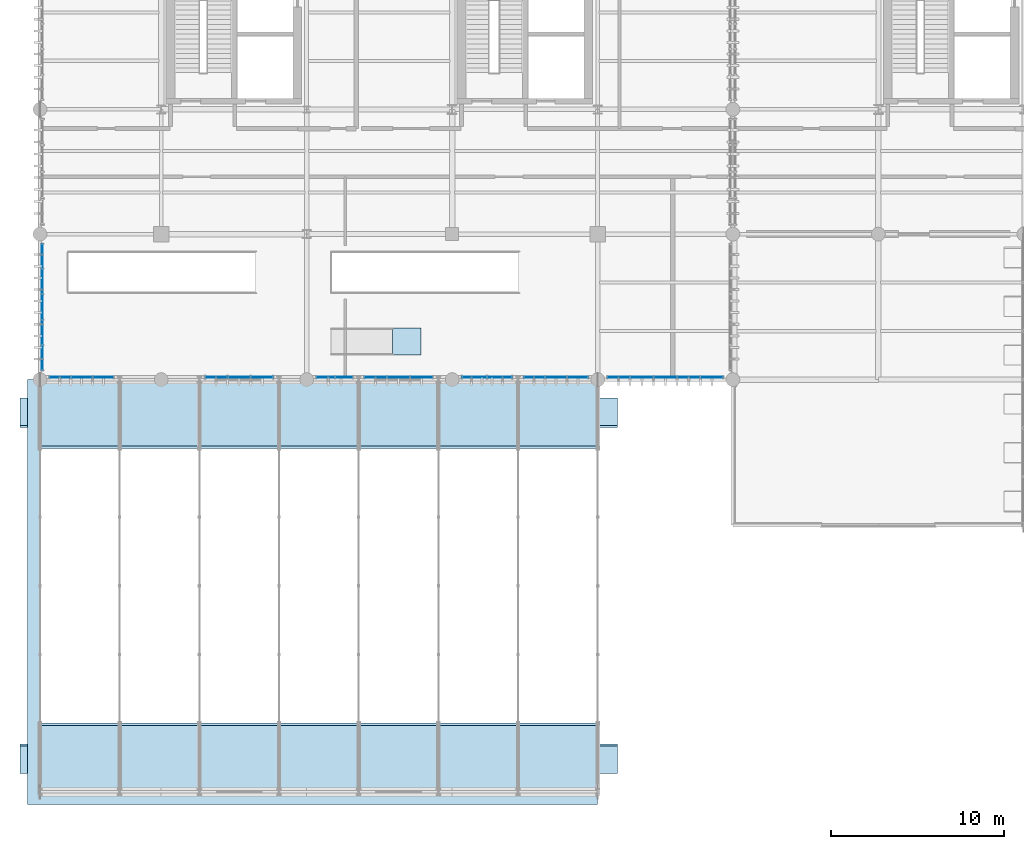
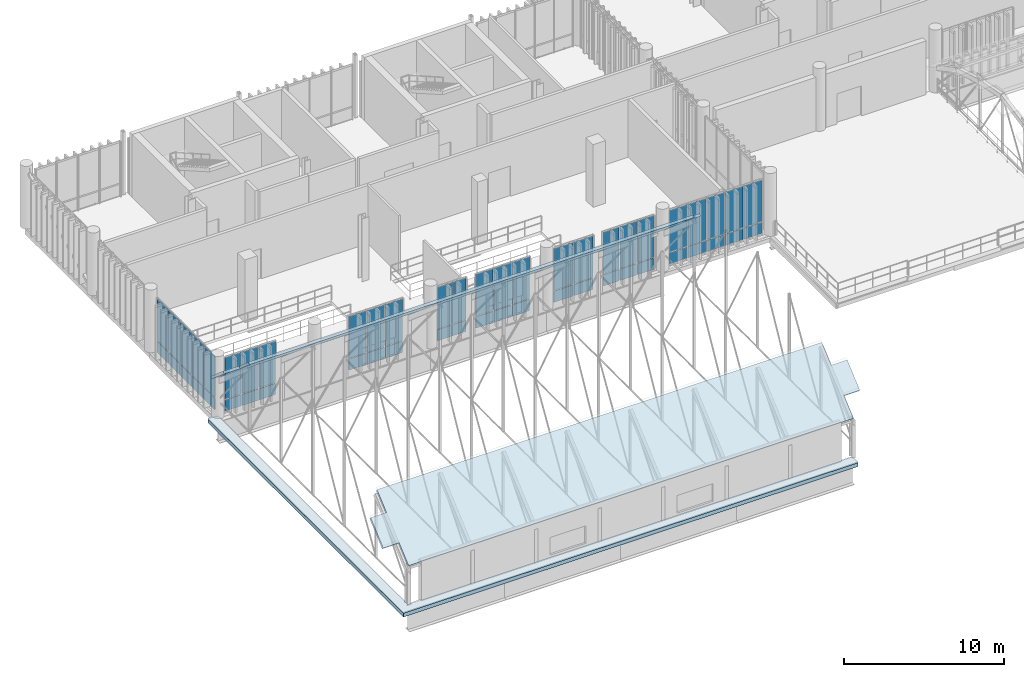
# One storey, part 79 of 109: 52 plates, 4 slabs, 8 elements without a shape of their own.
"""IFC4 building model written with IfcOpenShell, lengths in metres."""

from ifc_helpers import new_model, si_unit, direction, frame, frame_2d, origin_with_axes, place, context, subcontext, project, spatial, polyline, rectangle, outline, extrude, material, layer, layer_set, type_object, element, aggregate, save


model = new_model("IFC4")

# Units and contexts
model_context = context("Model", 3, precision=1e-05, world=origin_with_axes(), true_north=direction((0.0, 1.0)))
body_context = subcontext(model_context, "Body", "Model", "MODEL_VIEW")
ifc_project = project(units=[si_unit("LENGTHUNIT", "METRE"), si_unit("AREAUNIT", "SQUARE_METRE"), si_unit("VOLUMEUNIT", "CUBIC_METRE"), si_unit("PLANEANGLEUNIT", "RADIAN"), si_unit("MASSUNIT", "GRAM", prefix="KILO"), si_unit("THERMODYNAMICTEMPERATUREUNIT", "KELVIN")], contexts=[model_context])

# Site, building, storey
site_placement = place(None, origin_with_axes())
site = spatial("IfcSite", under=ifc_project, at=site_placement, CompositionType="ELEMENT")
building_placement = place(site_placement, origin_with_axes())
building = spatial("IfcBuilding", under=site, at=building_placement, Name="Montbau Bow Law Courts", CompositionType="ELEMENT")
storey_placement = place(building_placement, frame((0.0, 0.0, 10.8), z_axis=(0.0, 0.0, 1.0), x_axis=(1.0, 0.0, 0.0)))
storey = spatial("IfcBuildingStorey", under=building, at=storey_placement, Name="L02", CompositionType="ELEMENT", Elevation=10.8)

# Curtain wall, plates
ifc_material_1 = material(Name="Thermally Broken Extruded Aluminium AA 6063-T6", Category="aluminium")
curtain_wall_type = type_object("IfcCurtainWallType", Name="CW-TRC-01", PredefinedType="NOTDEFINED", material=ifc_material_1)
curtain_wall_1_placement = place(None, frame((7.315, 30.74, 10.8), z_axis=(0.0, 0.0, 1.0), x_axis=(1.0, 0.0, 0.0)))
curtain_wall_1 = element("IfcCurtainWall", 1, at=curtain_wall_1_placement, inside=storey, type_object=curtain_wall_type, Name="CW-L02-032:cw_0032", PredefinedType="NOTDEFINED")
ifc_material_2 = material(Name="Triple-Glazed Low-E Argon Insulating Glass Unit", Category="glass")
ifc_layer_1 = layer(ifc_material_2, 0.044, Name="Curtain Panel", Category="glass")
ifc_layer_set_1 = layer_set([ifc_layer_1], Name="Triple-Glazed Low-E Argon Insulating Glass Unit")
plate_type_1 = type_object("IfcPlateType", Name="PL-CWP-01", PredefinedType="CURTAIN_PANEL", material=ifc_layer_set_1)
plate_1_placement = place(None, frame((7.377, 30.74, 11.782), z_axis=(0.0, -1.0, 0.0), x_axis=(1.0, 0.0, 0.0)))
plate_1 = element("IfcPlate", 2, at=plate_1_placement, type_object=plate_type_1, Name="CW-L02-032-P01-2:cw_0032_P01_2", PredefinedType="CURTAIN_PANEL", context=body_context, shape_type="SweptSolid", body=[
    extrude(rectangle(XDim=1.169, YDim=3.176, at=frame_2d((0.5845, 1.588), x_axis=(1.0, 0.0))), frame((0.0, 0.0, -0.022), z_axis=(0.0, 0.0, 1.0), x_axis=(1.0, 0.0, 0.0)), (0.0, 0.0, 1.0), 0.044),
])
plate_2_placement = place(None, frame((8.61, 30.74, 11.782), z_axis=(0.0, -1.0, 0.0), x_axis=(1.0, 0.0, 0.0)))
plate_2 = element("IfcPlate", 3, at=plate_2_placement, type_object=plate_type_1, Name="CW-L02-032-P02-2:cw_0032_P02_2", PredefinedType="CURTAIN_PANEL", context=body_context, shape_type="SweptSolid", body=[
    extrude(rectangle(XDim=1.199, YDim=3.176, at=frame_2d((0.5995, 1.588), x_axis=(1.0, 0.0))), frame((0.0, 0.0, -0.022), z_axis=(0.0, 0.0, 1.0), x_axis=(1.0, 0.0, 0.0)), (0.0, 0.0, 1.0), 0.044),
])
plate_3_placement = place(None, frame((9.873, 30.74, 11.782), z_axis=(0.0, -1.0, 0.0), x_axis=(1.0, 0.0, 0.0)))
plate_3 = element("IfcPlate", 4, at=plate_3_placement, type_object=plate_type_1, Name="CW-L02-032-P03-2:cw_0032_P03_2", PredefinedType="CURTAIN_PANEL", context=body_context, shape_type="SweptSolid", body=[
    extrude(rectangle(XDim=1.169, YDim=3.176, at=frame_2d((0.5845, 1.588), x_axis=(1.0, 0.0))), frame((0.0, 0.0, -0.022), z_axis=(0.0, 0.0, 1.0), x_axis=(1.0, 0.0, 0.0)), (0.0, 0.0, 1.0), 0.044),
])

curtain_wall_2_placement = place(None, frame((16.296, 30.74, 10.8), z_axis=(0.0, 0.0, 1.0), x_axis=(1.0, 0.0, 0.0)))
curtain_wall_2 = element("IfcCurtainWall", 5, at=curtain_wall_2_placement, inside=storey, type_object=curtain_wall_type, Name="CW-L02-033:cw_0033", PredefinedType="NOTDEFINED")
plate_4_placement = place(None, frame((16.372, 30.74, 11.78), z_axis=(0.0, -1.0, 0.0), x_axis=(1.0, 0.0, 0.0)))
plate_4 = element("IfcPlate", 6, at=plate_4_placement, type_object=plate_type_1, Name="CW-L02-033-P01-2:cw_0033_P01_2", PredefinedType="CURTAIN_PANEL", context=body_context, shape_type="SweptSolid", body=[
    extrude(rectangle(XDim=1.22, YDim=3.183, at=frame_2d((0.61, 1.5915), x_axis=(1.0, 0.0))), frame((0.0, 0.0, -0.022), z_axis=(0.0, 0.0, 1.0), x_axis=(1.0, 0.0, 0.0)), (0.0, 0.0, 1.0), 0.044),
])
plate_5_placement = place(None, frame((17.672, 30.74, 11.78), z_axis=(0.0, -1.0, 0.0), x_axis=(1.0, 0.0, 0.0)))
plate_5 = element("IfcPlate", 7, at=plate_5_placement, type_object=plate_type_1, Name="CW-L02-033-P02-2:cw_0033_P02_2", PredefinedType="CURTAIN_PANEL", context=body_context, shape_type="SweptSolid", body=[
    extrude(rectangle(XDim=1.257, YDim=3.183, at=frame_2d((0.6285, 1.5915), x_axis=(1.0, 0.0))), frame((0.0, 0.0, -0.022), z_axis=(0.0, 0.0, 1.0), x_axis=(1.0, 0.0, 0.0)), (0.0, 0.0, 1.0), 0.044),
])
plate_6_placement = place(None, frame((19.008, 30.74, 11.78), z_axis=(0.0, -1.0, 0.0), x_axis=(1.0, 0.0, 0.0)))
plate_6 = element("IfcPlate", 8, at=plate_6_placement, type_object=plate_type_1, Name="CW-L02-033-P03-2:cw_0033_P03_2", PredefinedType="CURTAIN_PANEL", context=body_context, shape_type="SweptSolid", body=[
    extrude(rectangle(XDim=1.219, YDim=3.183, at=frame_2d((0.6095, 1.5915), x_axis=(1.0, 0.0))), frame((0.0, 0.0, -0.022), z_axis=(0.0, 0.0, 1.0), x_axis=(1.0, 0.0, 0.0)), (0.0, 0.0, 1.0), 0.044),
])

curtain_wall_3_placement = place(None, frame((22.715, 30.74, 10.8), z_axis=(0.0, 0.0, 1.0), x_axis=(1.0, 0.0, 0.0)))
curtain_wall_3 = element("IfcCurtainWall", 9, at=curtain_wall_3_placement, inside=storey, type_object=curtain_wall_type, Name="CW-L02-034:cw_0034", PredefinedType="NOTDEFINED")
plate_7_placement = place(None, frame((22.783, 30.74, 11.782), z_axis=(0.0, -1.0, 0.0), x_axis=(1.0, 0.0, 0.0)))
plate_7 = element("IfcPlate", 10, at=plate_7_placement, type_object=plate_type_1, Name="CW-L02-034-P01-2:cw_0034_P01_2", PredefinedType="CURTAIN_PANEL", context=body_context, shape_type="SweptSolid", body=[
    extrude(rectangle(XDim=0.992, YDim=3.176, at=frame_2d((0.496, 1.588), x_axis=(1.0, 0.0))), frame((0.0, 0.0, -0.022), z_axis=(0.0, 0.0, 1.0), x_axis=(1.0, 0.0, 0.0)), (0.0, 0.0, 1.0), 0.044),
])
plate_8_placement = place(None, frame((23.844, 30.74, 11.782), z_axis=(0.0, -1.0, 0.0), x_axis=(1.0, 0.0, 0.0)))
plate_8 = element("IfcPlate", 11, at=plate_8_placement, type_object=plate_type_1, Name="CW-L02-034-P02-2:cw_0034_P02_2", PredefinedType="CURTAIN_PANEL", context=body_context, shape_type="SweptSolid", body=[
    extrude(rectangle(XDim=0.993, YDim=3.176, at=frame_2d((0.4965, 1.588), x_axis=(1.0, 0.0))), frame((0.0, 0.0, -0.022), z_axis=(0.0, 0.0, 1.0), x_axis=(1.0, 0.0, 0.0)), (0.0, 0.0, 1.0), 0.044),
])

curtain_wall_4_placement = place(None, frame((25.496, 30.74, 10.8), z_axis=(0.0, 0.0, 1.0), x_axis=(1.0, 0.0, 0.0)))
curtain_wall_4 = element("IfcCurtainWall", 12, at=curtain_wall_4_placement, inside=storey, type_object=curtain_wall_type, Name="CW-L02-035:cw_0035", PredefinedType="NOTDEFINED")
plate_9_placement = place(None, frame((25.558, 30.74, 11.78), z_axis=(0.0, -1.0, 0.0), x_axis=(1.0, 0.0, 0.0)))
plate_9 = element("IfcPlate", 13, at=plate_9_placement, type_object=plate_type_1, Name="CW-L02-035-P01-2:cw_0035_P01_2", PredefinedType="CURTAIN_PANEL", context=body_context, shape_type="SweptSolid", body=[
    extrude(rectangle(XDim=1.242, YDim=3.183, at=frame_2d((0.621, 1.5915), x_axis=(1.0, 0.0))), frame((0.0, 0.0, -0.022), z_axis=(0.0, 0.0, 1.0), x_axis=(1.0, 0.0, 0.0)), (0.0, 0.0, 1.0), 0.044),
])
plate_10_placement = place(None, frame((26.864, 30.74, 11.78), z_axis=(0.0, -1.0, 0.0), x_axis=(1.0, 0.0, 0.0)))
plate_10 = element("IfcPlate", 14, at=plate_10_placement, type_object=plate_type_1, Name="CW-L02-035-P02-2:cw_0035_P02_2", PredefinedType="CURTAIN_PANEL", context=body_context, shape_type="SweptSolid", body=[
    extrude(rectangle(XDim=1.272, YDim=3.183, at=frame_2d((0.636, 1.5915), x_axis=(1.0, 0.0))), frame((0.0, 0.0, -0.022), z_axis=(0.0, 0.0, 1.0), x_axis=(1.0, 0.0, 0.0)), (0.0, 0.0, 1.0), 0.044),
])
plate_11_placement = place(None, frame((28.2, 30.74, 11.78), z_axis=(0.0, -1.0, 0.0), x_axis=(1.0, 0.0, 0.0)))
plate_11 = element("IfcPlate", 15, at=plate_11_placement, type_object=plate_type_1, Name="CW-L02-035-P03-2:cw_0035_P03_2", PredefinedType="CURTAIN_PANEL", context=body_context, shape_type="SweptSolid", body=[
    extrude(rectangle(XDim=1.242, YDim=3.183, at=frame_2d((0.621, 1.5915), x_axis=(1.0, 0.0))), frame((0.0, 0.0, -0.022), z_axis=(0.0, 0.0, 1.0), x_axis=(1.0, 0.0, 0.0)), (0.0, 0.0, 1.0), 0.044),
])

curtain_wall_5_placement = place(None, frame((31.115, 30.74, 10.8), z_axis=(0.0, 0.0, 1.0), x_axis=(1.0, 0.0, 0.0)))
curtain_wall_5 = element("IfcCurtainWall", 16, at=curtain_wall_5_placement, inside=storey, type_object=curtain_wall_type, Name="CW-L02-036:cw_0036", PredefinedType="NOTDEFINED")
plate_12_placement = place(None, frame((31.191, 30.74, 11.782), z_axis=(0.0, -1.0, 0.0), x_axis=(1.0, 0.0, 0.0)))
plate_12 = element("IfcPlate", 17, at=plate_12_placement, type_object=plate_type_1, Name="CW-L02-036-P01-2:cw_0036_P01_2", PredefinedType="CURTAIN_PANEL", context=body_context, shape_type="SweptSolid", body=[
    extrude(rectangle(XDim=1.378, YDim=3.176, at=frame_2d((0.689, 1.588), x_axis=(1.0, 0.0))), frame((0.0, 0.0, -0.022), z_axis=(0.0, 0.0, 1.0), x_axis=(1.0, 0.0, 0.0)), (0.0, 0.0, 1.0), 0.044),
])
plate_13_placement = place(None, frame((32.649, 30.74, 11.782), z_axis=(0.0, -1.0, 0.0), x_axis=(1.0, 0.0, 0.0)))
plate_13 = element("IfcPlate", 18, at=plate_13_placement, type_object=plate_type_1, Name="CW-L02-036-P02-2:cw_0036_P02_2", PredefinedType="CURTAIN_PANEL", context=body_context, shape_type="SweptSolid", body=[
    extrude(rectangle(XDim=1.378, YDim=3.176, at=frame_2d((0.689, 1.588), x_axis=(1.0, 0.0))), frame((0.0, 0.0, -0.022), z_axis=(0.0, 0.0, 1.0), x_axis=(1.0, 0.0, 0.0)), (0.0, 0.0, 1.0), 0.044),
])

curtain_wall_6_placement = place(None, frame((34.697, 30.74, 10.8), z_axis=(0.0, 0.0, 1.0), x_axis=(1.0, 0.0, 0.0)))
curtain_wall_6 = element("IfcCurtainWall", 19, at=curtain_wall_6_placement, inside=storey, type_object=curtain_wall_type, Name="CW-L02-037:cw_0037", PredefinedType="NOTDEFINED")
plate_14_placement = place(None, frame((34.765, 30.74, 11.78), z_axis=(0.0, -1.0, 0.0), x_axis=(1.0, 0.0, 0.0)))
plate_14 = element("IfcPlate", 20, at=plate_14_placement, type_object=plate_type_1, Name="CW-L02-037-P01-2:cw_0037_P01_2", PredefinedType="CURTAIN_PANEL", context=body_context, shape_type="SweptSolid", body=[
    extrude(rectangle(XDim=1.16, YDim=3.183, at=frame_2d((0.58, 1.5915), x_axis=(1.0, 0.0))), frame((0.0, 0.0, -0.022), z_axis=(0.0, 0.0, 1.0), x_axis=(1.0, 0.0, 0.0)), (0.0, 0.0, 1.0), 0.044),
])
plate_15_placement = place(None, frame((35.994, 30.74, 11.78), z_axis=(0.0, -1.0, 0.0), x_axis=(1.0, 0.0, 0.0)))
plate_15 = element("IfcPlate", 21, at=plate_15_placement, type_object=plate_type_1, Name="CW-L02-037-P02-2:cw_0037_P02_2", PredefinedType="CURTAIN_PANEL", context=body_context, shape_type="SweptSolid", body=[
    extrude(rectangle(XDim=1.193, YDim=3.183, at=frame_2d((0.5965, 1.5915), x_axis=(1.0, 0.0))), frame((0.0, 0.0, -0.022), z_axis=(0.0, 0.0, 1.0), x_axis=(1.0, 0.0, 0.0)), (0.0, 0.0, 1.0), 0.044),
])
plate_16_placement = place(None, frame((37.256, 30.74, 11.78), z_axis=(0.0, -1.0, 0.0), x_axis=(1.0, 0.0, 0.0)))
plate_16 = element("IfcPlate", 22, at=plate_16_placement, type_object=plate_type_1, Name="CW-L02-037-P03-2:cw_0037_P03_2", PredefinedType="CURTAIN_PANEL", context=body_context, shape_type="SweptSolid", body=[
    extrude(rectangle(XDim=1.161, YDim=3.183, at=frame_2d((0.5805, 1.5915), x_axis=(1.0, 0.0))), frame((0.0, 0.0, -0.022), z_axis=(0.0, 0.0, 1.0), x_axis=(1.0, 0.0, 0.0)), (0.0, 0.0, 1.0), 0.044),
])

curtain_wall_7_placement = place(None, frame((39.515, 30.74, 10.8), z_axis=(0.0, 0.0, 1.0), x_axis=(1.0, 0.0, 0.0)))
curtain_wall_7 = element("IfcCurtainWall", 23, at=curtain_wall_7_placement, inside=storey, type_object=curtain_wall_type, Name="CW-L02-038:cw_0038", PredefinedType="NOTDEFINED")
plate_17_placement = place(None, frame((39.577, 30.74, 11.782), z_axis=(0.0, -1.0, 0.0), x_axis=(1.0, 0.0, 0.0)))
plate_17 = element("IfcPlate", 24, at=plate_17_placement, type_object=plate_type_1, Name="CW-L02-038-P01-2:cw_0038_P01_2", PredefinedType="CURTAIN_PANEL", context=body_context, shape_type="SweptSolid", body=[
    extrude(rectangle(XDim=1.26, YDim=3.176, at=frame_2d((0.63, 1.588), x_axis=(1.0, 0.0))), frame((0.0, 0.0, -0.022), z_axis=(0.0, 0.0, 1.0), x_axis=(1.0, 0.0, 0.0)), (0.0, 0.0, 1.0), 0.044),
])
plate_18_placement = place(None, frame((40.901, 30.74, 11.782), z_axis=(0.0, -1.0, 0.0), x_axis=(1.0, 0.0, 0.0)))
plate_18 = element("IfcPlate", 25, at=plate_18_placement, type_object=plate_type_1, Name="CW-L02-038-P02-2:cw_0038_P02_2", PredefinedType="CURTAIN_PANEL", context=body_context, shape_type="SweptSolid", body=[
    extrude(rectangle(XDim=1.29, YDim=3.176, at=frame_2d((0.645, 1.588), x_axis=(1.0, 0.0))), frame((0.0, 0.0, -0.022), z_axis=(0.0, 0.0, 1.0), x_axis=(1.0, 0.0, 0.0)), (0.0, 0.0, 1.0), 0.044),
])
plate_19_placement = place(None, frame((42.255, 30.74, 11.782), z_axis=(0.0, -1.0, 0.0), x_axis=(1.0, 0.0, 0.0)))
plate_19 = element("IfcPlate", 26, at=plate_19_placement, type_object=plate_type_1, Name="CW-L02-038-P03-2:cw_0038_P03_2", PredefinedType="CURTAIN_PANEL", context=body_context, shape_type="SweptSolid", body=[
    extrude(rectangle(XDim=1.29, YDim=3.176, at=frame_2d((0.645, 1.588), x_axis=(1.0, 0.0))), frame((0.0, 0.0, -0.022), z_axis=(0.0, 0.0, 1.0), x_axis=(1.0, 0.0, 0.0)), (0.0, 0.0, 1.0), 0.044),
])
plate_20_placement = place(None, frame((43.609, 30.74, 11.782), z_axis=(0.0, -1.0, 0.0), x_axis=(1.0, 0.0, 0.0)))
plate_20 = element("IfcPlate", 27, at=plate_20_placement, type_object=plate_type_1, Name="CW-L02-038-P04-2:cw_0038_P04_2", PredefinedType="CURTAIN_PANEL", context=body_context, shape_type="SweptSolid", body=[
    extrude(rectangle(XDim=1.29, YDim=3.176, at=frame_2d((0.645, 1.588), x_axis=(1.0, 0.0))), frame((0.0, 0.0, -0.022), z_axis=(0.0, 0.0, 1.0), x_axis=(1.0, 0.0, 0.0)), (0.0, 0.0, 1.0), 0.044),
])
plate_21_placement = place(None, frame((44.963, 30.74, 11.782), z_axis=(0.0, -1.0, 0.0), x_axis=(1.0, 0.0, 0.0)))
plate_21 = element("IfcPlate", 28, at=plate_21_placement, type_object=plate_type_1, Name="CW-L02-038-P05-2:cw_0038_P05_2", PredefinedType="CURTAIN_PANEL", context=body_context, shape_type="SweptSolid", body=[
    extrude(rectangle(XDim=1.26, YDim=3.176, at=frame_2d((0.63, 1.588), x_axis=(1.0, 0.0))), frame((0.0, 0.0, -0.022), z_axis=(0.0, 0.0, 1.0), x_axis=(1.0, 0.0, 0.0)), (0.0, 0.0, 1.0), 0.044),
])

curtain_wall_8_placement = place(None, frame((6.94, 31.115, 10.8), z_axis=(0.0, 0.0, 1.0), x_axis=(1.0, 0.0, 0.0)))
curtain_wall_8 = element("IfcCurtainWall", 29, at=curtain_wall_8_placement, inside=storey, type_object=curtain_wall_type, Name="CW-L02-044:cw_0044", PredefinedType="NOTDEFINED")
plate_22_placement = place(None, frame((6.94, 31.177, 11.782), z_axis=(1.0, 0.0, 0.0), x_axis=(0.0, 1.0, 0.0)))
plate_22 = element("IfcPlate", 30, at=plate_22_placement, type_object=plate_type_1, Name="CW-L02-044-P01-2:cw_0044_P01_2", PredefinedType="CURTAIN_PANEL", context=body_context, shape_type="SweptSolid", body=[
    extrude(rectangle(XDim=1.38, YDim=3.176, at=frame_2d((0.69, 1.588), x_axis=(1.0, 0.0))), frame((0.0, 0.0, -0.022), z_axis=(0.0, 0.0, 1.0), x_axis=(1.0, 0.0, 0.0)), (0.0, 0.0, 1.0), 0.044),
])
plate_23_placement = place(None, frame((6.94, 32.621, 11.782), z_axis=(1.0, 0.0, 0.0), x_axis=(0.0, 1.0, 0.0)))
plate_23 = element("IfcPlate", 31, at=plate_23_placement, type_object=plate_type_1, Name="CW-L02-044-P02-2:cw_0044_P02_2", PredefinedType="CURTAIN_PANEL", context=body_context, shape_type="SweptSolid", body=[
    extrude(rectangle(XDim=1.41, YDim=3.176, at=frame_2d((0.705, 1.588), x_axis=(1.0, 0.0))), frame((0.0, 0.0, -0.022), z_axis=(0.0, 0.0, 1.0), x_axis=(1.0, 0.0, 0.0)), (0.0, 0.0, 1.0), 0.044),
])
plate_24_placement = place(None, frame((6.94, 34.095, 11.782), z_axis=(1.0, 0.0, 0.0), x_axis=(0.0, 1.0, 0.0)))
plate_24 = element("IfcPlate", 32, at=plate_24_placement, type_object=plate_type_1, Name="CW-L02-044-P03-2:cw_0044_P03_2", PredefinedType="CURTAIN_PANEL", context=body_context, shape_type="SweptSolid", body=[
    extrude(rectangle(XDim=1.41, YDim=3.176, at=frame_2d((0.705, 1.588), x_axis=(1.0, 0.0))), frame((0.0, 0.0, -0.022), z_axis=(0.0, 0.0, 1.0), x_axis=(1.0, 0.0, 0.0)), (0.0, 0.0, 1.0), 0.044),
])
plate_25_placement = place(None, frame((6.94, 35.569, 11.782), z_axis=(1.0, 0.0, 0.0), x_axis=(0.0, 1.0, 0.0)))
plate_25 = element("IfcPlate", 33, at=plate_25_placement, type_object=plate_type_1, Name="CW-L02-044-P04-2:cw_0044_P04_2", PredefinedType="CURTAIN_PANEL", context=body_context, shape_type="SweptSolid", body=[
    extrude(rectangle(XDim=1.41, YDim=3.176, at=frame_2d((0.705, 1.588), x_axis=(1.0, 0.0))), frame((0.0, 0.0, -0.022), z_axis=(0.0, 0.0, 1.0), x_axis=(1.0, 0.0, 0.0)), (0.0, 0.0, 1.0), 0.044),
])
plate_26_placement = place(None, frame((6.94, 37.043, 11.782), z_axis=(1.0, 0.0, 0.0), x_axis=(0.0, 1.0, 0.0)))
plate_26 = element("IfcPlate", 34, at=plate_26_placement, type_object=plate_type_1, Name="CW-L02-044-P05-2:cw_0044_P05_2", PredefinedType="CURTAIN_PANEL", context=body_context, shape_type="SweptSolid", body=[
    extrude(rectangle(XDim=1.38, YDim=3.176, at=frame_2d((0.69, 1.588), x_axis=(1.0, 0.0))), frame((0.0, 0.0, -0.022), z_axis=(0.0, 0.0, 1.0), x_axis=(1.0, 0.0, 0.0)), (0.0, 0.0, 1.0), 0.044),
])

# Plate
ifc_material_3 = material(Name="Insulated Ceramic-Frit Spandrel Glazing Unit", Category="glass")
ifc_layer_2 = layer(ifc_material_3, 0.056, Name="Curtain Panel", Category="glass")
ifc_layer_set_2 = layer_set([ifc_layer_2], Name="Insulated Ceramic-Frit Spandrel Glazing Unit")
plate_type_2 = type_object("IfcPlateType", Name="PL-CWP-02", PredefinedType="CURTAIN_PANEL", material=ifc_layer_set_2)
plate_27_placement = place(None, frame((7.377, 30.74, 10.862), z_axis=(0.0, -1.0, 0.0), x_axis=(1.0, 0.0, 0.0)))
plate_27 = element("IfcPlate", 35, at=plate_27_placement, type_object=plate_type_2, Name="CW-L02-032-P01-1:cw_0032_P01_1", PredefinedType="CURTAIN_PANEL", context=body_context, shape_type="SweptSolid", body=[
    extrude(rectangle(XDim=1.169, YDim=0.856, at=frame_2d((0.5845, 0.428), x_axis=(1.0, 0.0))), frame((0.0, 0.0, -0.028), z_axis=(0.0, 0.0, 1.0), x_axis=(1.0, 0.0, 0.0)), (0.0, 0.0, 1.0), 0.056),
])

plate_28_placement = place(None, frame((8.61, 30.74, 10.862), z_axis=(0.0, -1.0, 0.0), x_axis=(1.0, 0.0, 0.0)))
plate_28 = element("IfcPlate", 36, at=plate_28_placement, type_object=plate_type_2, Name="CW-L02-032-P02-1:cw_0032_P02_1", PredefinedType="CURTAIN_PANEL", context=body_context, shape_type="SweptSolid", body=[
    extrude(rectangle(XDim=1.199, YDim=0.856, at=frame_2d((0.5995, 0.428), x_axis=(1.0, 0.0))), frame((0.0, 0.0, -0.028), z_axis=(0.0, 0.0, 1.0), x_axis=(1.0, 0.0, 0.0)), (0.0, 0.0, 1.0), 0.056),
])

plate_29_placement = place(None, frame((9.873, 30.74, 10.862), z_axis=(0.0, -1.0, 0.0), x_axis=(1.0, 0.0, 0.0)))
plate_29 = element("IfcPlate", 37, at=plate_29_placement, type_object=plate_type_2, Name="CW-L02-032-P03-1:cw_0032_P03_1", PredefinedType="CURTAIN_PANEL", context=body_context, shape_type="SweptSolid", body=[
    extrude(rectangle(XDim=1.169, YDim=0.856, at=frame_2d((0.5845, 0.428), x_axis=(1.0, 0.0))), frame((0.0, 0.0, -0.028), z_axis=(0.0, 0.0, 1.0), x_axis=(1.0, 0.0, 0.0)), (0.0, 0.0, 1.0), 0.056),
])

aggregate(curtain_wall_1, [plate_27, plate_1, plate_28, plate_2, plate_29, plate_3])

plate_30_placement = place(None, frame((16.372, 30.74, 10.857), z_axis=(0.0, -1.0, 0.0), x_axis=(1.0, 0.0, 0.0)))
plate_30 = element("IfcPlate", 38, at=plate_30_placement, type_object=plate_type_2, Name="CW-L02-033-P01-1:cw_0033_P01_1", PredefinedType="CURTAIN_PANEL", context=body_context, shape_type="SweptSolid", body=[
    extrude(rectangle(XDim=1.22, YDim=0.863, at=frame_2d((0.61, 0.4315), x_axis=(1.0, 0.0))), frame((0.0, 0.0, -0.028), z_axis=(0.0, 0.0, 1.0), x_axis=(1.0, 0.0, 0.0)), (0.0, 0.0, 1.0), 0.056),
])

plate_31_placement = place(None, frame((17.672, 30.74, 10.857), z_axis=(0.0, -1.0, 0.0), x_axis=(1.0, 0.0, 0.0)))
plate_31 = element("IfcPlate", 39, at=plate_31_placement, type_object=plate_type_2, Name="CW-L02-033-P02-1:cw_0033_P02_1", PredefinedType="CURTAIN_PANEL", context=body_context, shape_type="SweptSolid", body=[
    extrude(rectangle(XDim=1.257, YDim=0.863, at=frame_2d((0.6285, 0.4315), x_axis=(1.0, 0.0))), frame((0.0, 0.0, -0.028), z_axis=(0.0, 0.0, 1.0), x_axis=(1.0, 0.0, 0.0)), (0.0, 0.0, 1.0), 0.056),
])

plate_32_placement = place(None, frame((19.008, 30.74, 10.857), z_axis=(0.0, -1.0, 0.0), x_axis=(1.0, 0.0, 0.0)))
plate_32 = element("IfcPlate", 40, at=plate_32_placement, type_object=plate_type_2, Name="CW-L02-033-P03-1:cw_0033_P03_1", PredefinedType="CURTAIN_PANEL", context=body_context, shape_type="SweptSolid", body=[
    extrude(rectangle(XDim=1.219, YDim=0.863, at=frame_2d((0.6095, 0.4315), x_axis=(1.0, 0.0))), frame((0.0, 0.0, -0.028), z_axis=(0.0, 0.0, 1.0), x_axis=(1.0, 0.0, 0.0)), (0.0, 0.0, 1.0), 0.056),
])

aggregate(curtain_wall_2, [plate_30, plate_4, plate_31, plate_5, plate_32, plate_6])

plate_33_placement = place(None, frame((22.783, 30.74, 10.862), z_axis=(0.0, -1.0, 0.0), x_axis=(1.0, 0.0, 0.0)))
plate_33 = element("IfcPlate", 41, at=plate_33_placement, type_object=plate_type_2, Name="CW-L02-034-P01-1:cw_0034_P01_1", PredefinedType="CURTAIN_PANEL", context=body_context, shape_type="SweptSolid", body=[
    extrude(rectangle(XDim=0.992, YDim=0.856, at=frame_2d((0.496, 0.428), x_axis=(1.0, 0.0))), frame((0.0, 0.0, -0.028), z_axis=(0.0, 0.0, 1.0), x_axis=(1.0, 0.0, 0.0)), (0.0, 0.0, 1.0), 0.056),
])

plate_34_placement = place(None, frame((23.844, 30.74, 10.862), z_axis=(0.0, -1.0, 0.0), x_axis=(1.0, 0.0, 0.0)))
plate_34 = element("IfcPlate", 42, at=plate_34_placement, type_object=plate_type_2, Name="CW-L02-034-P02-1:cw_0034_P02_1", PredefinedType="CURTAIN_PANEL", context=body_context, shape_type="SweptSolid", body=[
    extrude(rectangle(XDim=0.993, YDim=0.856, at=frame_2d((0.4965, 0.428), x_axis=(1.0, 0.0))), frame((0.0, 0.0, -0.028), z_axis=(0.0, 0.0, 1.0), x_axis=(1.0, 0.0, 0.0)), (0.0, 0.0, 1.0), 0.056),
])

aggregate(curtain_wall_3, [plate_33, plate_7, plate_34, plate_8])

plate_35_placement = place(None, frame((25.558, 30.74, 10.857), z_axis=(0.0, -1.0, 0.0), x_axis=(1.0, 0.0, 0.0)))
plate_35 = element("IfcPlate", 43, at=plate_35_placement, type_object=plate_type_2, Name="CW-L02-035-P01-1:cw_0035_P01_1", PredefinedType="CURTAIN_PANEL", context=body_context, shape_type="SweptSolid", body=[
    extrude(rectangle(XDim=1.242, YDim=0.863, at=frame_2d((0.621, 0.4315), x_axis=(1.0, 0.0))), frame((0.0, 0.0, -0.028), z_axis=(0.0, 0.0, 1.0), x_axis=(1.0, 0.0, 0.0)), (0.0, 0.0, 1.0), 0.056),
])

plate_36_placement = place(None, frame((26.864, 30.74, 10.857), z_axis=(0.0, -1.0, 0.0), x_axis=(1.0, 0.0, 0.0)))
plate_36 = element("IfcPlate", 44, at=plate_36_placement, type_object=plate_type_2, Name="CW-L02-035-P02-1:cw_0035_P02_1", PredefinedType="CURTAIN_PANEL", context=body_context, shape_type="SweptSolid", body=[
    extrude(rectangle(XDim=1.272, YDim=0.863, at=frame_2d((0.636, 0.4315), x_axis=(1.0, 0.0))), frame((0.0, 0.0, -0.028), z_axis=(0.0, 0.0, 1.0), x_axis=(1.0, 0.0, 0.0)), (0.0, 0.0, 1.0), 0.056),
])

plate_37_placement = place(None, frame((28.2, 30.74, 10.857), z_axis=(0.0, -1.0, 0.0), x_axis=(1.0, 0.0, 0.0)))
plate_37 = element("IfcPlate", 45, at=plate_37_placement, type_object=plate_type_2, Name="CW-L02-035-P03-1:cw_0035_P03_1", PredefinedType="CURTAIN_PANEL", context=body_context, shape_type="SweptSolid", body=[
    extrude(rectangle(XDim=1.242, YDim=0.863, at=frame_2d((0.621, 0.4315), x_axis=(1.0, 0.0))), frame((0.0, 0.0, -0.028), z_axis=(0.0, 0.0, 1.0), x_axis=(1.0, 0.0, 0.0)), (0.0, 0.0, 1.0), 0.056),
])

aggregate(curtain_wall_4, [plate_35, plate_9, plate_36, plate_10, plate_37, plate_11])

plate_38_placement = place(None, frame((31.191, 30.74, 10.862), z_axis=(0.0, -1.0, 0.0), x_axis=(1.0, 0.0, 0.0)))
plate_38 = element("IfcPlate", 46, at=plate_38_placement, type_object=plate_type_2, Name="CW-L02-036-P01-1:cw_0036_P01_1", PredefinedType="CURTAIN_PANEL", context=body_context, shape_type="SweptSolid", body=[
    extrude(rectangle(XDim=1.378, YDim=0.856, at=frame_2d((0.689, 0.428), x_axis=(1.0, 0.0))), frame((0.0, 0.0, -0.028), z_axis=(0.0, 0.0, 1.0), x_axis=(1.0, 0.0, 0.0)), (0.0, 0.0, 1.0), 0.056),
])

plate_39_placement = place(None, frame((32.649, 30.74, 10.862), z_axis=(0.0, -1.0, 0.0), x_axis=(1.0, 0.0, 0.0)))
plate_39 = element("IfcPlate", 47, at=plate_39_placement, type_object=plate_type_2, Name="CW-L02-036-P02-1:cw_0036_P02_1", PredefinedType="CURTAIN_PANEL", context=body_context, shape_type="SweptSolid", body=[
    extrude(rectangle(XDim=1.378, YDim=0.856, at=frame_2d((0.689, 0.428), x_axis=(1.0, 0.0))), frame((0.0, 0.0, -0.028), z_axis=(0.0, 0.0, 1.0), x_axis=(1.0, 0.0, 0.0)), (0.0, 0.0, 1.0), 0.056),
])

aggregate(curtain_wall_5, [plate_38, plate_12, plate_39, plate_13])

plate_40_placement = place(None, frame((34.765, 30.74, 10.857), z_axis=(0.0, -1.0, 0.0), x_axis=(1.0, 0.0, 0.0)))
plate_40 = element("IfcPlate", 48, at=plate_40_placement, type_object=plate_type_2, Name="CW-L02-037-P01-1:cw_0037_P01_1", PredefinedType="CURTAIN_PANEL", context=body_context, shape_type="SweptSolid", body=[
    extrude(rectangle(XDim=1.16, YDim=0.863, at=frame_2d((0.58, 0.4315), x_axis=(1.0, 0.0))), frame((0.0, 0.0, -0.028), z_axis=(0.0, 0.0, 1.0), x_axis=(1.0, 0.0, 0.0)), (0.0, 0.0, 1.0), 0.056),
])

plate_41_placement = place(None, frame((35.994, 30.74, 10.857), z_axis=(0.0, -1.0, 0.0), x_axis=(1.0, 0.0, 0.0)))
plate_41 = element("IfcPlate", 49, at=plate_41_placement, type_object=plate_type_2, Name="CW-L02-037-P02-1:cw_0037_P02_1", PredefinedType="CURTAIN_PANEL", context=body_context, shape_type="SweptSolid", body=[
    extrude(rectangle(XDim=1.193, YDim=0.863, at=frame_2d((0.5965, 0.4315), x_axis=(1.0, 0.0))), frame((0.0, 0.0, -0.028), z_axis=(0.0, 0.0, 1.0), x_axis=(1.0, 0.0, 0.0)), (0.0, 0.0, 1.0), 0.056),
])

plate_42_placement = place(None, frame((37.256, 30.74, 10.857), z_axis=(0.0, -1.0, 0.0), x_axis=(1.0, 0.0, 0.0)))
plate_42 = element("IfcPlate", 50, at=plate_42_placement, type_object=plate_type_2, Name="CW-L02-037-P03-1:cw_0037_P03_1", PredefinedType="CURTAIN_PANEL", context=body_context, shape_type="SweptSolid", body=[
    extrude(rectangle(XDim=1.161, YDim=0.863, at=frame_2d((0.5805, 0.4315), x_axis=(1.0, 0.0))), frame((0.0, 0.0, -0.028), z_axis=(0.0, 0.0, 1.0), x_axis=(1.0, 0.0, 0.0)), (0.0, 0.0, 1.0), 0.056),
])

aggregate(curtain_wall_6, [plate_40, plate_14, plate_41, plate_15, plate_42, plate_16])

plate_43_placement = place(None, frame((39.577, 30.74, 10.862), z_axis=(0.0, -1.0, 0.0), x_axis=(1.0, 0.0, 0.0)))
plate_43 = element("IfcPlate", 51, at=plate_43_placement, type_object=plate_type_2, Name="CW-L02-038-P01-1:cw_0038_P01_1", PredefinedType="CURTAIN_PANEL", context=body_context, shape_type="SweptSolid", body=[
    extrude(rectangle(XDim=1.26, YDim=0.856, at=frame_2d((0.63, 0.428), x_axis=(1.0, 0.0))), frame((0.0, 0.0, -0.028), z_axis=(0.0, 0.0, 1.0), x_axis=(1.0, 0.0, 0.0)), (0.0, 0.0, 1.0), 0.056),
])

plate_44_placement = place(None, frame((40.901, 30.74, 10.862), z_axis=(0.0, -1.0, 0.0), x_axis=(1.0, 0.0, 0.0)))
plate_44 = element("IfcPlate", 52, at=plate_44_placement, type_object=plate_type_2, Name="CW-L02-038-P02-1:cw_0038_P02_1", PredefinedType="CURTAIN_PANEL", context=body_context, shape_type="SweptSolid", body=[
    extrude(rectangle(XDim=1.29, YDim=0.856, at=frame_2d((0.645, 0.428), x_axis=(1.0, 0.0))), frame((0.0, 0.0, -0.028), z_axis=(0.0, 0.0, 1.0), x_axis=(1.0, 0.0, 0.0)), (0.0, 0.0, 1.0), 0.056),
])

plate_45_placement = place(None, frame((42.255, 30.74, 10.862), z_axis=(0.0, -1.0, 0.0), x_axis=(1.0, 0.0, 0.0)))
plate_45 = element("IfcPlate", 53, at=plate_45_placement, type_object=plate_type_2, Name="CW-L02-038-P03-1:cw_0038_P03_1", PredefinedType="CURTAIN_PANEL", context=body_context, shape_type="SweptSolid", body=[
    extrude(rectangle(XDim=1.29, YDim=0.856, at=frame_2d((0.645, 0.428), x_axis=(1.0, 0.0))), frame((0.0, 0.0, -0.028), z_axis=(0.0, 0.0, 1.0), x_axis=(1.0, 0.0, 0.0)), (0.0, 0.0, 1.0), 0.056),
])

plate_46_placement = place(None, frame((43.609, 30.74, 10.862), z_axis=(0.0, -1.0, 0.0), x_axis=(1.0, 0.0, 0.0)))
plate_46 = element("IfcPlate", 54, at=plate_46_placement, type_object=plate_type_2, Name="CW-L02-038-P04-1:cw_0038_P04_1", PredefinedType="CURTAIN_PANEL", context=body_context, shape_type="SweptSolid", body=[
    extrude(rectangle(XDim=1.29, YDim=0.856, at=frame_2d((0.645, 0.428), x_axis=(1.0, 0.0))), frame((0.0, 0.0, -0.028), z_axis=(0.0, 0.0, 1.0), x_axis=(1.0, 0.0, 0.0)), (0.0, 0.0, 1.0), 0.056),
])

plate_47_placement = place(None, frame((44.963, 30.74, 10.862), z_axis=(0.0, -1.0, 0.0), x_axis=(1.0, 0.0, 0.0)))
plate_47 = element("IfcPlate", 55, at=plate_47_placement, type_object=plate_type_2, Name="CW-L02-038-P05-1:cw_0038_P05_1", PredefinedType="CURTAIN_PANEL", context=body_context, shape_type="SweptSolid", body=[
    extrude(rectangle(XDim=1.26, YDim=0.856, at=frame_2d((0.63, 0.428), x_axis=(1.0, 0.0))), frame((0.0, 0.0, -0.028), z_axis=(0.0, 0.0, 1.0), x_axis=(1.0, 0.0, 0.0)), (0.0, 0.0, 1.0), 0.056),
])

aggregate(curtain_wall_7, [plate_43, plate_17, plate_44, plate_18, plate_45, plate_19, plate_46, plate_20, plate_47, plate_21])

plate_48_placement = place(None, frame((6.94, 31.177, 10.862), z_axis=(1.0, 0.0, 0.0), x_axis=(0.0, 1.0, 0.0)))
plate_48 = element("IfcPlate", 56, at=plate_48_placement, type_object=plate_type_2, Name="CW-L02-044-P01-1:cw_0044_P01_1", PredefinedType="CURTAIN_PANEL", context=body_context, shape_type="SweptSolid", body=[
    extrude(rectangle(XDim=1.38, YDim=0.856, at=frame_2d((0.69, 0.428), x_axis=(1.0, 0.0))), frame((0.0, 0.0, -0.028), z_axis=(0.0, 0.0, 1.0), x_axis=(1.0, 0.0, 0.0)), (0.0, 0.0, 1.0), 0.056),
])

plate_49_placement = place(None, frame((6.94, 32.621, 10.862), z_axis=(1.0, 0.0, 0.0), x_axis=(0.0, 1.0, 0.0)))
plate_49 = element("IfcPlate", 57, at=plate_49_placement, type_object=plate_type_2, Name="CW-L02-044-P02-1:cw_0044_P02_1", PredefinedType="CURTAIN_PANEL", context=body_context, shape_type="SweptSolid", body=[
    extrude(rectangle(XDim=1.41, YDim=0.856, at=frame_2d((0.705, 0.428), x_axis=(1.0, 0.0))), frame((0.0, 0.0, -0.028), z_axis=(0.0, 0.0, 1.0), x_axis=(1.0, 0.0, 0.0)), (0.0, 0.0, 1.0), 0.056),
])

plate_50_placement = place(None, frame((6.94, 34.095, 10.862), z_axis=(1.0, 0.0, 0.0), x_axis=(0.0, 1.0, 0.0)))
plate_50 = element("IfcPlate", 58, at=plate_50_placement, type_object=plate_type_2, Name="CW-L02-044-P03-1:cw_0044_P03_1", PredefinedType="CURTAIN_PANEL", context=body_context, shape_type="SweptSolid", body=[
    extrude(rectangle(XDim=1.41, YDim=0.856, at=frame_2d((0.705, 0.428), x_axis=(1.0, 0.0))), frame((0.0, 0.0, -0.028), z_axis=(0.0, 0.0, 1.0), x_axis=(1.0, 0.0, 0.0)), (0.0, 0.0, 1.0), 0.056),
])

plate_51_placement = place(None, frame((6.94, 35.569, 10.862), z_axis=(1.0, 0.0, 0.0), x_axis=(0.0, 1.0, 0.0)))
plate_51 = element("IfcPlate", 59, at=plate_51_placement, type_object=plate_type_2, Name="CW-L02-044-P04-1:cw_0044_P04_1", PredefinedType="CURTAIN_PANEL", context=body_context, shape_type="SweptSolid", body=[
    extrude(rectangle(XDim=1.41, YDim=0.856, at=frame_2d((0.705, 0.428), x_axis=(1.0, 0.0))), frame((0.0, 0.0, -0.028), z_axis=(0.0, 0.0, 1.0), x_axis=(1.0, 0.0, 0.0)), (0.0, 0.0, 1.0), 0.056),
])

plate_52_placement = place(None, frame((6.94, 37.043, 10.862), z_axis=(1.0, 0.0, 0.0), x_axis=(0.0, 1.0, 0.0)))
plate_52 = element("IfcPlate", 60, at=plate_52_placement, type_object=plate_type_2, Name="CW-L02-044-P05-1:cw_0044_P05_1", PredefinedType="CURTAIN_PANEL", context=body_context, shape_type="SweptSolid", body=[
    extrude(rectangle(XDim=1.38, YDim=0.856, at=frame_2d((0.69, 0.428), x_axis=(1.0, 0.0))), frame((0.0, 0.0, -0.028), z_axis=(0.0, 0.0, 1.0), x_axis=(1.0, 0.0, 0.0)), (0.0, 0.0, 1.0), 0.056),
])

aggregate(curtain_wall_8, [plate_48, plate_22, plate_49, plate_23, plate_50, plate_24, plate_51, plate_25, plate_52, plate_26])

# Slabs
ifc_material_4 = material(Name="Concrete CSA A23.1 f'c 40 MPa", Category="concrete")
ifc_layer_3 = layer(ifc_material_4, 0.3, Name="Floor Slab", Category="concrete")
ifc_layer_set_3 = layer_set([ifc_layer_3], Name="Concrete CSA A23.1 f'c 40 MPa")
slab_type_1 = type_object("IfcSlabType", Name="SL-FLR-06", PredefinedType="FLOOR", material=ifc_layer_set_3)
slab_1_placement = place(None, frame((0.0, 0.0, 10.8), z_axis=(0.0, 0.0, 1.0), x_axis=(1.0, 0.0, 0.0)))
element("IfcSlab", 61, at=slab_1_placement, inside=storey, type_object=slab_type_1, Name="DAIS-R-BF3:slb_0094", PredefinedType="FLOOR", context=body_context, shape_type="SweptSolid", body=[
    extrude(outline(polyline([(27.155, 32.025), (28.8, 32.025), (28.8, 33.575), (27.155, 33.575), (27.155, 32.025)])), origin_with_axes(), (0.0, 0.0, 1.0), 0.3),
])
ifc_layer_4 = layer(ifc_material_4, 0.29, Name="Roof Slab", Category="concrete")
ifc_layer_set_4 = layer_set([ifc_layer_4], Name="Concrete CSA A23.1 f'c 40 MPa")
slab_type_2 = type_object("IfcSlabType", Name="SL-ROF-02", PredefinedType="ROOF", material=ifc_layer_set_4)
slab_2_placement = place(None, frame((0.0, 0.0, 10.51), z_axis=(0.0, 0.0, 1.0), x_axis=(1.0, 0.0, 0.0)))
element("IfcSlab", 62, at=slab_2_placement, inside=storey, type_object=slab_type_2, Name="RF-SLB-LID-L02-14:slb_0065", PredefinedType="ROOF", context=body_context, shape_type="SweptSolid", body=[
    extrude(outline(polyline([(6.796, 30.6), (6.796, 6.796), (39.0, 6.796), (39.0, 6.08), (6.08, 6.08), (6.08, 30.6), (6.796, 30.6)])), origin_with_axes(), (0.0, 0.0, 1.0), 0.29),
])
ifc_layer_5 = layer(ifc_material_4, 0.19, Name="Roof Slab", Category="concrete")
ifc_layer_set_5 = layer_set([ifc_layer_5], Name="Concrete CSA A23.1 f'c 40 MPa")
slab_type_3 = type_object("IfcSlabType", Name="SL-ROF-03", PredefinedType="ROOF", material=ifc_layer_set_5)
slab_3_placement = place(None, frame((0.0, 0.0, 7.851069), z_axis=(0.0, -0.651603107, 0.758560078), x_axis=(1.0, 0.0, 0.0)))
element("IfcSlab", 63, at=slab_3_placement, inside=storey, type_object=slab_type_3, Name="BV-SLB-V1-F1:slb_0074", PredefinedType="ROOF", context=body_context, shape_type="SweptSolid", body=[
    extrude(outline(polyline([(6.8, 8.964353), (39.0, 8.964353), (39.0, 10.533114), (40.15, 10.533114), (40.15, 12.625236), (39.0, 12.625236), (39.0, 14.193998), (6.8, 14.193998), (6.8, 12.625236), (5.65, 12.625236), (5.65, 10.533114), (6.8, 10.533114), (6.8, 8.964353)])), origin_with_axes(), (0.0, 0.0, 1.0), 0.19),
])
slab_4_placement = place(None, frame((0.0, 0.0, 39.978528), z_axis=(0.0, 0.651603107, 0.758560078), x_axis=(1.0, 0.0, 0.0)))
element("IfcSlab", 64, at=slab_4_placement, inside=storey, type_object=slab_type_3, Name="BV-SLB-V1-F6:slb_0079", PredefinedType="ROOF", context=body_context, shape_type="SweptSolid", body=[
    extrude(outline(polyline([(6.8, 35.109942), (39.0, 35.109942), (39.0, 36.678703), (40.15, 36.678703), (40.15, 38.770825), (39.0, 38.770825), (39.0, 40.339587), (6.8, 40.339587), (6.8, 38.770825), (5.65, 38.770825), (5.65, 36.678703), (6.8, 36.678703), (6.8, 35.109942)])), origin_with_axes(), (0.0, 0.0, 1.0), 0.19),
])

save(model, "model.ifc")
